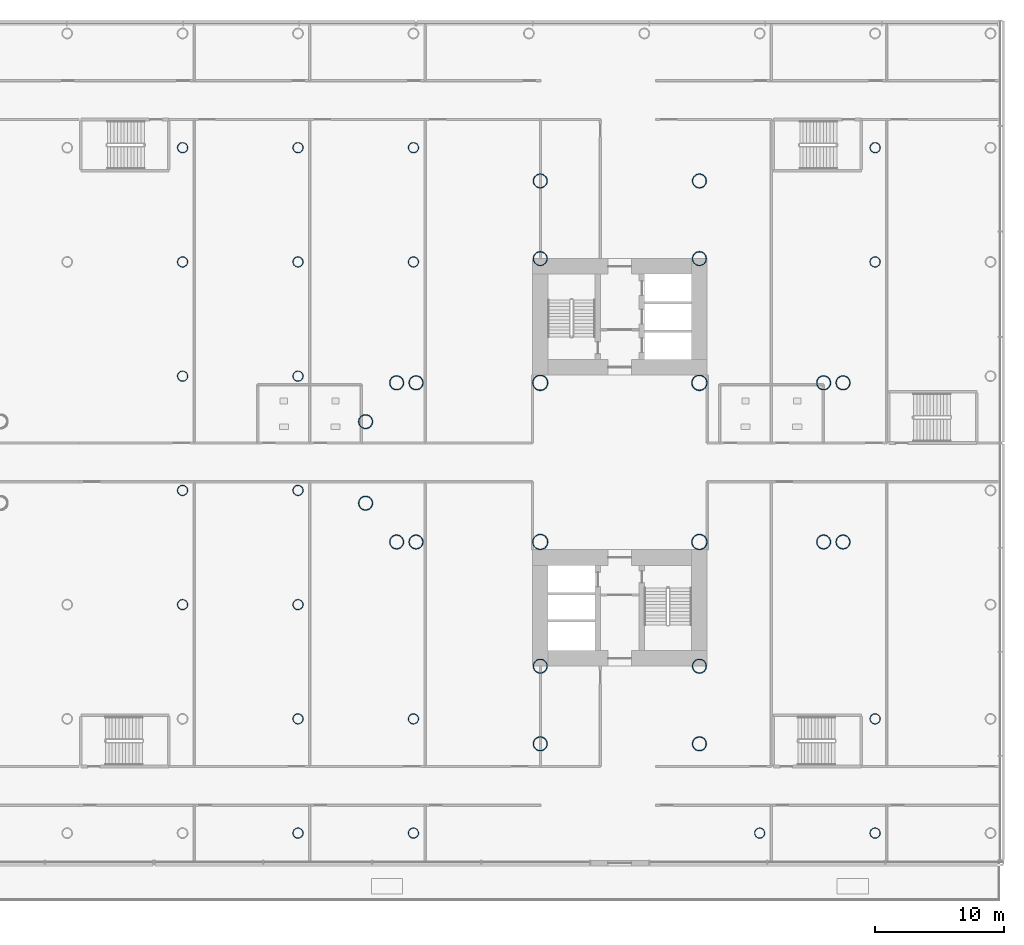
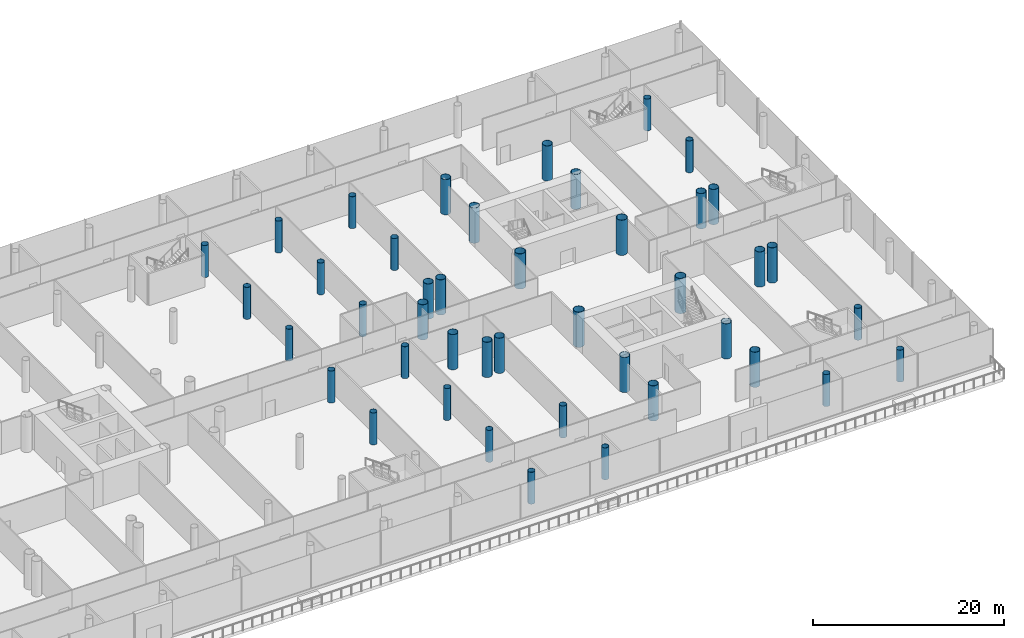
# One storey, part 2 of 49: 43 columns.
"""IFC4 building model written with IfcOpenShell, lengths in metres."""

import ifcopenshell
import ifcopenshell.guid

model = None  # the IFC model being written
_history = None  # IfcOwnerHistory: only IFC2X3 demands one
_inside = {}  # id of a spatial element -> (the spatial element, [elements in it])
_under = {}  # id of a project, library or spatial element -> (it, [spatial elements below it])
_declared = {}  # id of a project -> (the project, [libraries it declares])
_typed = {}  # id of a type object -> (the type object, [elements of that type])
_made_of = {}  # id of a material, layer set ... -> (it, [elements and type objects made of it])


def new_model(schema):
    """Start an empty IFC model of exactly this schema.

    Asked for "IFC4X3", IfcOpenShell would pick the latest addendum, in which some entities
    have other attributes; the version numbers below select the first issue.
    IFC2X3 requires an IfcOwnerHistory on every rooted entity: one is made here for all.
    """
    global model, _history
    if schema == "IFC4X3":
        model = ifcopenshell.file(schema_version=(4, 3, 0, 0))
    else:
        model = ifcopenshell.file(schema=schema)
    _inside.clear()
    _under.clear()
    _declared.clear()
    _typed.clear()
    _made_of.clear()
    _history = None
    if model.schema == "IFC2X3":
        org = make("IfcOrganization", Name="unknown")
        user = make(
            "IfcPersonAndOrganization",
            ThePerson=make("IfcPerson", FamilyName="unknown"),
            TheOrganization=org,
        )
        app = make(
            "IfcApplication",
            ApplicationDeveloper=org,
            Version="unknown",
            ApplicationFullName="unknown",
            ApplicationIdentifier="unknown",
        )
        _history = make(
            "IfcOwnerHistory",
            OwningUser=user,
            OwningApplication=app,
            ChangeAction="ADDED",
            CreationDate=0,
        )
    return model


def make(cls, **values):
    """One entity of the class cls with the attributes given. An attribute that is None is left unset."""
    return model.create_entity(
        cls, **{name: value for name, value in values.items() if value is not None}
    )


def rooted(cls, **values):
    """An entity with a GlobalId (a new one), such as an element, a storey or a relation."""
    return make(cls, GlobalId=ifcopenshell.guid.new(), OwnerHistory=_history, **values)


def si_unit(unit_type, name, prefix=None):
    """IfcSIUnit, for example si_unit("LENGTHUNIT", "METRE", prefix="MILLI")."""
    return make("IfcSIUnit", UnitType=unit_type, Prefix=prefix, Name=name)


def assignment(units):
    """IfcUnitAssignment: the units of a project."""
    return None if units is None else make("IfcUnitAssignment", Units=units)


def point(xyz):
    """IfcCartesianPoint."""
    return None if xyz is None else make("IfcCartesianPoint", Coordinates=xyz)


def direction(xyz):
    """IfcDirection."""
    return None if xyz is None else make("IfcDirection", DirectionRatios=xyz)


def frame(location, z_axis=None, x_axis=None):
    """IfcAxis2Placement3D, a coordinate frame: its origin and axes. An axis left out is left unset."""
    return make(
        "IfcAxis2Placement3D",
        Location=point(location),
        Axis=direction(z_axis),
        RefDirection=direction(x_axis),
    )


def frame_2d(location, x_axis=None):
    """IfcAxis2Placement2D, a coordinate frame in the plane: its origin and x axis."""
    return make(
        "IfcAxis2Placement2D", Location=point(location), RefDirection=direction(x_axis)
    )


def origin():
    """The frame at (0, 0, 0) with its axes left unset."""
    return frame((0.0, 0.0, 0.0))


def origin_2d():
    """The frame at (0, 0) in the plane with its x axis left unset."""
    return frame_2d((0.0, 0.0))


def place(relative_to, where):
    """IfcLocalPlacement: puts the frame where relative to a parent placement (None: the world)."""
    return make(
        "IfcLocalPlacement", PlacementRelTo=relative_to, RelativePlacement=where
    )


def context(
    kind, dimensions, precision=None, world=None, true_north=None, identifier=None
):
    """IfcGeometricRepresentationContext, for example the 3D "Model" context."""
    return make(
        "IfcGeometricRepresentationContext",
        ContextIdentifier=identifier,
        ContextType=kind,
        CoordinateSpaceDimension=dimensions,
        Precision=precision,
        WorldCoordinateSystem=world,
        TrueNorth=true_north,
    )


def subcontext(parent, identifier, kind, view, scale=None):
    """IfcGeometricRepresentationSubContext, for example "Body" below "Model"."""
    return make(
        "IfcGeometricRepresentationSubContext",
        ContextIdentifier=identifier,
        ContextType=kind,
        ParentContext=parent,
        TargetScale=scale,
        TargetView=view,
    )


def project(units=None, contexts=None):
    """IfcProject with its units and contexts."""
    return rooted(
        "IfcProject",
        Name="project",
        RepresentationContexts=contexts,
        UnitsInContext=assignment(units),
    )


def spatial(cls, under=None, at=None, **own):
    """A site, building, storey or space (cls), placed at a placement, below another one or the project."""
    s = rooted(cls, ObjectPlacement=at, **own)
    if under is not None:
        _under.setdefault(under.id(), (under, []))[1].append(s)
    return s


def profile(cls, at=None, kind="AREA", **sizes):
    """A parametric profile (cls). Its sizes go by their IFC names, for example OverallWidth=200.0."""
    return make(cls, ProfileType=kind, Position=at, **sizes)


def hollow_circle(**sizes):
    """IfcCircleHollowProfileDef."""
    return profile("IfcCircleHollowProfileDef", **sizes)


def extrude(swept, where, along, depth):
    """IfcExtrudedAreaSolid: the profile swept, set in the frame where, extruded along a direction by depth."""
    return make(
        "IfcExtrudedAreaSolid",
        SweptArea=swept,
        Position=where,
        ExtrudedDirection=direction(along),
        Depth=depth,
    )


def shape(context_of_items, identifier, shape_type, items):
    """IfcShapeRepresentation: the items that make up one representation, for example the "Body"."""
    return make(
        "IfcShapeRepresentation",
        ContextOfItems=context_of_items,
        RepresentationIdentifier=identifier,
        RepresentationType=shape_type,
        Items=items,
    )


def material(Name=None, Category=None):
    """IfcMaterial."""
    return make("IfcMaterial", Name=Name, Category=Category)


def material_profile(
    of_material, cross_section, Name=None, Category=None, Priority=None
):
    """IfcMaterialProfile: a cross section and its material."""
    return make(
        "IfcMaterialProfile",
        Name=Name,
        Material=of_material,
        Profile=cross_section,
        Priority=Priority,
        Category=Category,
    )


def profile_set(profiles, Name=None, composite=None):
    """IfcMaterialProfileSet."""
    return make(
        "IfcMaterialProfileSet",
        Name=Name,
        MaterialProfiles=profiles,
        CompositeProfile=composite,
    )


def made_of(thing, what):
    """Note that an element or type object is made of a material, layer set ...; save() writes the relation."""
    if what is not None:
        _made_of.setdefault(what.id(), (what, []))[1].append(thing)
    return thing


def type_object(cls, material=None, **own):
    """A type object (cls), such as IfcWallType, which elements share."""
    return made_of(rooted(cls, **own), material)


def element(
    cls,
    number,
    at=None,
    inside=None,
    cuts=None,
    type_object=None,
    material=None,
    context=None,
    identifier="Body",
    shape_type=None,
    held_by="IfcProductDefinitionShape",
    body=None,
    shapes=None,
    **own,
):
    """One element of the class cls, such as IfcWall. Its Tag is "e" and its number.

    at: its placement. inside: the storey or other place that contains it. cuts: it is an
    opening in that element (IfcRelVoidsElement). A single representation is given by context,
    identifier, shape_type and body (its items); several are given by shapes. held_by: the class
    of the entity that holds the representations. save() writes the other relations.
    """
    e = rooted(cls, Tag="e%d" % number, ObjectPlacement=at, **own)
    if body is not None:
        shapes = [shape(context, identifier, shape_type, body)]
    if shapes is not None:
        e.Representation = make(held_by, Representations=shapes)
    if inside is not None:
        _inside.setdefault(inside.id(), (inside, []))[1].append(e)
    if cuts is not None:
        rooted(
            "IfcRelVoidsElement", RelatingBuildingElement=cuts, RelatedOpeningElement=e
        )
    if type_object is not None:
        _typed.setdefault(type_object.id(), (type_object, []))[1].append(e)
    return made_of(e, material)


def aggregate(whole, parts):
    """IfcRelAggregates: a whole, such as a stair, and the parts it consists of."""
    return rooted("IfcRelAggregates", RelatingObject=whole, RelatedObjects=parts)


def save(model, path):
    """Write the relations noted so far, then the file.

    IfcRelAggregates (storeys below a building ...), IfcRelContainedInSpatialStructure (elements
    in a storey), IfcRelDefinesByType, IfcRelAssociatesMaterial and IfcRelDeclares: one each for
    every whole, place, type object, material and project.
    """
    for whole, parts in _under.values():
        aggregate(whole, parts)
    for where, things in _inside.values():
        rooted(
            "IfcRelContainedInSpatialStructure",
            RelatedElements=things,
            RelatingStructure=where,
        )
    for kind, things in _typed.values():
        rooted("IfcRelDefinesByType", RelatedObjects=things, RelatingType=kind)
    for what, things in _made_of.values():
        rooted("IfcRelAssociatesMaterial", RelatedObjects=things, RelatingMaterial=what)
    for by, libraries in _declared.values():
        rooted("IfcRelDeclares", RelatingContext=by, RelatedDefinitions=libraries)
    model.write(path)


model = new_model("IFC4")

# Units and contexts
model_context = context("Model", 3, precision=1e-05, world=origin(), true_north=direction((0.0, 1.0)))
body_context = subcontext(model_context, "Body", "Model", "MODEL_VIEW")
ifc_project = project(units=[si_unit("LENGTHUNIT", "METRE"), si_unit("AREAUNIT", "SQUARE_METRE"), si_unit("VOLUMEUNIT", "CUBIC_METRE"), si_unit("PLANEANGLEUNIT", "RADIAN"), si_unit("MASSUNIT", "GRAM", prefix="KILO")], contexts=[model_context])

# Site, building, storey
site_placement = place(None, origin())
site = spatial("IfcSite", under=ifc_project, at=site_placement, CompositionType="ELEMENT")
building_placement = place(site_placement, origin())
building = spatial("IfcBuilding", under=site, at=building_placement, Name="Ipe Terrace Towers", CompositionType="ELEMENT")
storey_placement = place(building_placement, frame((0.0, 0.0, 20.0)))
storey = spatial("IfcBuildingStorey", under=building, at=storey_placement, Name="L04", CompositionType="ELEMENT", Elevation=20.0)

# Columns
ifc_material_1 = material(Name="Steel S355 tube with Concrete C60/75 fill", Category="concrete")
ifc_material_profile_1 = material_profile(ifc_material_1, hollow_circle(Radius=0.550048828125, WallThickness=0.0400390625, at=origin_2d()), Name="CHS-1100x40")
ifc_profile_set_1 = profile_set([ifc_material_profile_1], Name="Steel S355 tube with Concrete C60/75 fill")
column_type_1 = type_object("IfcColumnType", Name="CH02 COLUMN CHS-1100x40", PredefinedType="COLUMN", material=ifc_profile_set_1)
for number, where, z_axis, x_axis, name in (
    (1, (42.14990234375, 15.75, 0.0), (0.0, 0.0, 1.0), (1.0, 0.0, 0.0), "Column T2-C-A01"),
    (2, (29.85009765625, 15.75, 0.0), (0.0, 0.0, 1.0), (1.0, 0.0, 0.0), "Column T2-C-A02"),
    (3, (42.14990234375, 21.75, 0.0), (0.0, 0.0, 1.0), (1.0, 0.0, 0.0), "Column T2-C-A03"),
    (4, (29.85009765625, 21.75, 0.0), (0.0, 0.0, 1.0), (1.0, 0.0, 0.0), "Column T2-C-A04"),
    (5, (20.25, 6.14990234375, 0.0), (0.0, 0.0, 1.0), (1.0, 0.0, 0.0), "Column T2-C-B03"),
    (6, (20.25, -6.14990234375, 0.0), (0.0, 0.0, 1.0), (1.0, 0.0, 0.0), "Column T2-C-B04"),
    (7, (18.75, 6.14990234375, 0.0), (0.0, 0.0, 1.0), (1.0, 0.0, 0.0), "Column T2-C-B05"),
    (8, (18.75, -6.14990234375, 0.0), (0.0, 0.0, 1.0), (1.0, 0.0, 0.0), "Column T2-C-B06"),
    (9, (16.35009765625, 3.14990234375, 0.0), (0.0, 0.0, 1.0), (1.0, 0.0, 0.0), "Column T2-C-B07"),
    (10, (16.35009765625, -3.14990234375, 0.0), (0.0, 0.0, 1.0), (1.0, 0.0, 0.0), "Column T2-C-B08"),
    (11, (42.14990234375, -15.75, 0.0), (0.0, 0.0, 1.0), (1.0, 0.0, 0.0), "Column T2-C-C01"),
    (12, (29.85009765625, -15.75, 0.0), (0.0, 0.0, 1.0), (1.0, 0.0, 0.0), "Column T2-C-C02"),
    (13, (42.14990234375, -21.75, 0.0), (0.0, 0.0, 1.0), (1.0, 0.0, 0.0), "Column T2-C-C03"),
    (14, (29.85009765625, -21.75, 0.0), (0.0, 0.0, 1.0), (1.0, 0.0, 0.0), "Column T2-C-C04"),
    (15, (51.75, -6.14990234375, 0.0), (0.0, 0.0, 1.0), (1.0, 0.0, 0.0), "Column T2-C-D03"),
    (16, (51.75, 6.14990234375, 0.0), (0.0, 0.0, 1.0), (1.0, 0.0, 0.0), "Column T2-C-D04"),
    (17, (53.25, -6.14990234375, 0.0), (0.0, 0.0, 1.0), (1.0, 0.0, 0.0), "Column T2-C-D05"),
    (18, (53.25, 6.14990234375, 0.0), (0.0, 0.0, 1.0), (1.0, 0.0, 0.0), "Column T2-C-D06"),
):
    element("IfcColumn", number, at=place(storey_placement, frame(where, z_axis=z_axis, x_axis=x_axis)), inside=storey, type_object=column_type_1, Name=name, PredefinedType="COLUMN", context=body_context, shape_type="SweptSolid", body=[
        extrude(hollow_circle(Radius=0.550048828125, WallThickness=0.0400390625, at=origin_2d()), origin(), (0.0, 0.0, 1.0), 4.5),
    ])
ifc_material_2 = material(Name="Steel S355 tube with Concrete C60/75 fill", Category="concrete")
ifc_material_profile_2 = material_profile(ifc_material_2, hollow_circle(Radius=0.60009765625, WallThickness=0.044921875, at=origin_2d()), Name="CHS-1200x45")
ifc_profile_set_2 = profile_set([ifc_material_profile_2], Name="Steel S355 tube with Concrete C60/75 fill")
column_type_2 = type_object("IfcColumnType", Name="CH03 COLUMN CHS-1200x45", PredefinedType="COLUMN", material=ifc_profile_set_2)
for number, where, z_axis, x_axis, name in (
    (19, (42.14990234375, -6.14990234375, 0.0), (0.0, 0.0, 1.0), (1.0, 0.0, 0.0), "Column T2-C-E01"),
    (20, (42.14990234375, 6.14990234375, 0.0), (0.0, 0.0, 1.0), (1.0, 0.0, 0.0), "Column T2-C-E02"),
    (21, (29.85009765625, 6.14990234375, 0.0), (0.0, 0.0, 1.0), (1.0, 0.0, 0.0), "Column T2-C-E03"),
    (22, (29.85009765625, -6.14990234375, 0.0), (0.0, 0.0, 1.0), (1.0, 0.0, 0.0), "Column T2-C-E04"),
):
    element("IfcColumn", number, at=place(storey_placement, frame(where, z_axis=z_axis, x_axis=x_axis)), inside=storey, type_object=column_type_2, Name=name, PredefinedType="COLUMN", context=body_context, shape_type="SweptSolid", body=[
        extrude(hollow_circle(Radius=0.60009765625, WallThickness=0.044921875, at=origin_2d()), origin(), (0.0, 0.0, 1.0), 4.5),
    ])
ifc_material_3 = material(Name="Steel S355 tube with Concrete C60/75 fill", Category="concrete")
ifc_material_profile_3 = material_profile(ifc_material_3, hollow_circle(Radius=0.39990234375, WallThickness=0.028076171875, at=origin_2d()), Name="CHS-800x28")
ifc_profile_set_3 = profile_set([ifc_material_profile_3], Name="Steel S355 tube with Concrete C60/75 fill")
column_type_3 = type_object("IfcColumnType", Name="CH09 PODIUM COLUMN CHS-800x28", PredefinedType="COLUMN", material=ifc_profile_set_3)
for number, where, z_axis, x_axis, name in (
    (23, (11.1298828125, -28.64990234375, 0.0), (0.0, 0.0, 1.0), (1.0, 0.0, 0.0), "Column PD-C-D10"),
    (24, (20.050048828125, -28.64990234375, 0.0), (0.0, 0.0, 1.0), (1.0, 0.0, 0.0), "Column PD-C-D11"),
    (25, (46.81005859375, -28.64990234375, 0.0), (0.0, 0.0, 1.0), (1.0, 0.0, 0.0), "Column PD-C-D14"),
    (26, (55.72998046875, -28.64990234375, 0.0), (0.0, 0.0, 1.0), (1.0, 0.0, 0.0), "Column PD-C-D15"),
    (27, (11.1298828125, -19.821044921875, 0.0), (0.0, 0.0, 1.0), (1.0, 0.0, 0.0), "Column PD-C-E10"),
    (28, (20.050048828125, -19.821044921875, 0.0), (0.0, 0.0, 1.0), (1.0, 0.0, 0.0), "Column PD-C-E11"),
    (29, (55.72998046875, -19.821044921875, 0.0), (0.0, 0.0, 1.0), (1.0, 0.0, 0.0), "Column PD-C-E15"),
    (30, (2.2099609375, -10.992919921875, 0.0), (0.0, 0.0, 1.0), (1.0, 0.0, 0.0), "Column PD-C-F09"),
    (31, (11.1298828125, -10.992919921875, 0.0), (0.0, 0.0, 1.0), (1.0, 0.0, 0.0), "Column PD-C-F10"),
    (32, (2.2099609375, -2.1640625, 0.0), (0.0, 0.0, 1.0), (1.0, 0.0, 0.0), "Column PD-C-G09"),
    (33, (11.1298828125, -2.1640625, 0.0), (0.0, 0.0, 1.0), (1.0, 0.0, 0.0), "Column PD-C-G10"),
    (34, (2.2099609375, 6.6640625, 0.0), (0.0, 0.0, 1.0), (1.0, 0.0, 0.0), "Column PD-C-H09"),
    (35, (11.1298828125, 6.6640625, 0.0), (0.0, 0.0, 1.0), (1.0, 0.0, 0.0), "Column PD-C-H10"),
    (36, (2.2099609375, 15.492919921875, 0.0), (0.0, 0.0, 1.0), (1.0, 0.0, 0.0), "Column PD-C-I09"),
    (37, (11.1298828125, 15.492919921875, 0.0), (0.0, 0.0, 1.0), (1.0, 0.0, 0.0), "Column PD-C-I10"),
    (38, (20.050048828125, 15.492919921875, 0.0), (0.0, 0.0, 1.0), (1.0, 0.0, 0.0), "Column PD-C-I11"),
    (39, (55.72998046875, 15.492919921875, 0.0), (0.0, 0.0, 1.0), (1.0, 0.0, 0.0), "Column PD-C-I15"),
    (40, (2.2099609375, 24.321044921875, 0.0), (0.0, 0.0, 1.0), (1.0, 0.0, 0.0), "Column PD-C-J09"),
    (41, (11.1298828125, 24.321044921875, 0.0), (0.0, 0.0, 1.0), (1.0, 0.0, 0.0), "Column PD-C-J10"),
    (42, (20.050048828125, 24.321044921875, 0.0), (0.0, 0.0, 1.0), (1.0, 0.0, 0.0), "Column PD-C-J11"),
    (43, (55.72998046875, 24.321044921875, 0.0), (0.0, 0.0, 1.0), (1.0, 0.0, 0.0), "Column PD-C-J15"),
):
    element("IfcColumn", number, at=place(storey_placement, frame(where, z_axis=z_axis, x_axis=x_axis)), inside=storey, type_object=column_type_3, Name=name, PredefinedType="COLUMN", context=body_context, shape_type="SweptSolid", body=[
        extrude(hollow_circle(Radius=0.39990234375, WallThickness=0.028076171875, at=origin_2d()), origin(), (0.0, 0.0, 1.0), 4.080078125),
    ])

save(model, "model.ifc")
